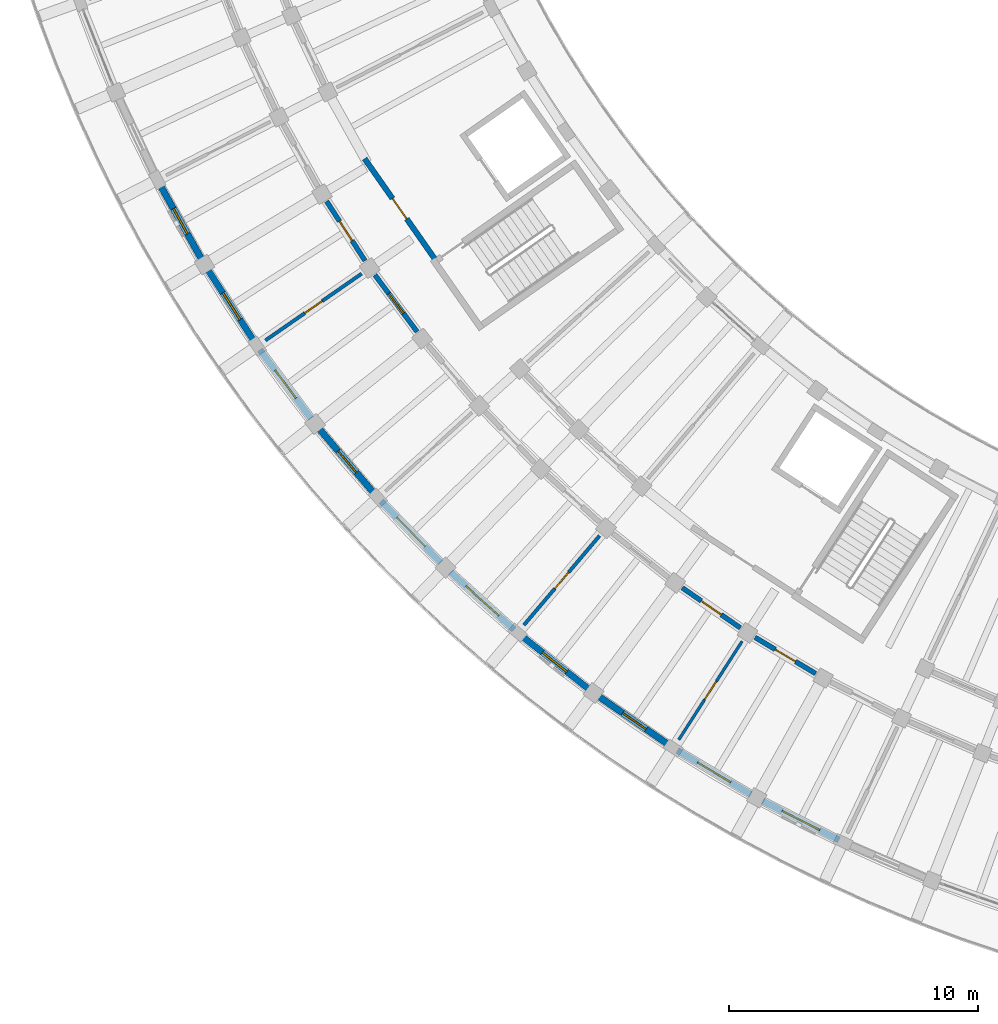
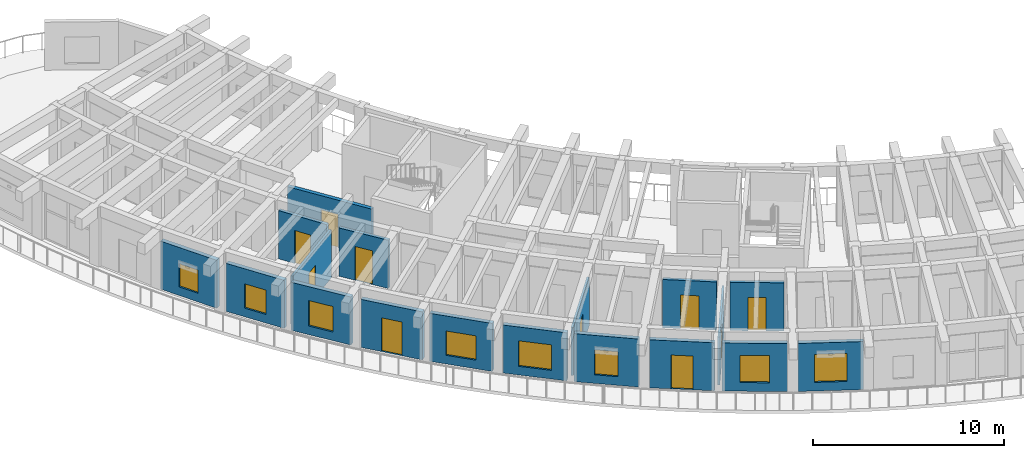
# One storey, part 80 of 128: 18 walls, 10 doors, 8 windows, 18 openings.
"""IFC4 building model written with IfcOpenShell, lengths in metres."""

from ifc_helpers import new_model, si_unit, direction, frame, frame_2d, origin, place, context, subcontext, project, spatial, rectangle, extrude, material, layer, layer_set, type_object, element, fill, save


model = new_model("IFC4")

# Units and contexts
model_context = context("Model", 3, precision=1e-05, world=origin(), true_north=direction((0.0, 1.0)))
body_context = subcontext(model_context, "Body", "Model", "MODEL_VIEW")
ifc_project = project(units=[si_unit("LENGTHUNIT", "METRE"), si_unit("AREAUNIT", "SQUARE_METRE"), si_unit("VOLUMEUNIT", "CUBIC_METRE"), si_unit("PLANEANGLEUNIT", "RADIAN"), si_unit("MASSUNIT", "GRAM", prefix="KILO")], contexts=[model_context])

# Site, building, storey
site_placement = place(None, origin())
site = spatial("IfcSite", under=ifc_project, at=site_placement, CompositionType="ELEMENT")
building_placement = place(site_placement, origin())
building = spatial("IfcBuilding", under=site, at=building_placement, Name="Tanwirah Colonnade Gardens", CompositionType="ELEMENT")
storey_placement = place(building_placement, frame((0.0, 0.0, 4.760009765625)))
storey = spatial("IfcBuildingStorey", under=building, at=storey_placement, Name="L01", CompositionType="ELEMENT", Elevation=4.760009765625)

# Wall, opening, window
ifc_material_1 = material(Name="Limestone architectural precast concrete C40/50", Category="masonry")
ifc_layer_1 = layer(ifc_material_1, 0.260009765625)
ifc_layer_set_1 = layer_set([ifc_layer_1], Name="Limestone architectural precast concrete C40/50")
wall_type_1 = type_object("IfcWallType", Name="EW-PC260", PredefinedType="SOLIDWALL", material=ifc_layer_set_1)
wall_1_placement = place(storey_placement, frame((12.149169921875, 37.072021484375, 0.0), z_axis=(0.0, 0.0, 1.0), x_axis=(0.486692090279, -0.873573585486, 0.0)))
wall_1 = element("IfcWall", 1, at=wall_1_placement, inside=storey, type_object=wall_type_1, Name="Block C L01 OUT Precast Facade Wall 3", PredefinedType="SOLIDWALL", context=body_context, shape_type="SweptSolid", body=[
    extrude(rectangle(XDim=3.436767578125, YDim=0.260009765625, at=frame_2d((1.71826171875, 0.0))), origin(), (0.0, 0.0, 1.0), 3.074951171875),
])
opening_1_placement = place(wall_1_placement, frame((1.138427734375, 0.0, 0.550048828125)))
opening_1 = element("IfcOpeningElement", 2, at=opening_1_placement, cuts=wall_1, Name="Opening WIN-U01", PredefinedType="OPENING", context=body_context, shape_type="SweptSolid", body=[
    extrude(rectangle(XDim=1.159912109375, YDim=1.485107421875, at=frame_2d((0.580078125, 0.74267578125))), frame((0.0, 0.139892578125, 0.0), z_axis=(0.0, -1.0, 0.0), x_axis=(1.0, 0.0, 0.0)), (0.0, 0.0, 1.0), 0.280029296875),
])
ifc_material_2 = material(Name="Thermally broken bronze aluminium and solar low-E double glazing", Category="aluminium")
window_type_1 = type_object("IfcWindowType", Name="WIN-U01", PartitioningType="DOUBLE_PANEL_VERTICAL", PredefinedType="WINDOW", material=ifc_material_2)
window_1_placement = place(opening_1_placement, origin())
window_1 = element("IfcWindow", 3, at=window_1_placement, inside=storey, type_object=window_type_1, Name="Facade window C-L01-OUT-03", OverallHeight=1.485107421875, OverallWidth=1.159912109375, PartitioningType="SINGLE_PANEL", PredefinedType="WINDOW", context=body_context, shape_type="SweptSolid", body=[
    extrude(rectangle(XDim=1.159912109375, YDim=1.485107421875, at=frame_2d((0.580078125, 0.74267578125))), frame((0.0, 0.030029296875, 0.0), z_axis=(0.0, -1.0, 0.0), x_axis=(1.0, 0.0, 0.0)), (0.0, 0.0, 1.0), 0.06005859375),
])
fill(opening_1, window_1)

wall_2_placement = place(storey_placement, frame((14.10498046875, 33.5986328125, 0.0), z_axis=(0.0, 0.0, 1.0), x_axis=(0.54279171039, -0.839867346152, 0.0)))
wall_2 = element("IfcWall", 4, at=wall_2_placement, inside=storey, type_object=wall_type_1, Name="Block C L01 OUT Precast Facade Wall 4", PredefinedType="SOLIDWALL", context=body_context, shape_type="SweptSolid", body=[
    extrude(rectangle(XDim=3.436767578125, YDim=0.260009765625, at=frame_2d((1.71826171875, 0.0))), origin(), (0.0, 0.0, 1.0), 3.074951171875),
])
opening_2_placement = place(wall_2_placement, frame((1.078369140625, 0.0, 0.550048828125)))
opening_2 = element("IfcOpeningElement", 5, at=opening_2_placement, cuts=wall_2, Name="Opening WIN-U04", PredefinedType="OPENING", context=body_context, shape_type="SweptSolid", body=[
    extrude(rectangle(XDim=1.280029296875, YDim=1.56005859375, at=frame_2d((0.64013671875, 0.780029296875))), frame((0.0, 0.139892578125, 0.0), z_axis=(0.0, -1.0, 0.0), x_axis=(1.0, 0.0, 0.0)), (0.0, 0.0, 1.0), 0.280029296875),
])
window_type_2 = type_object("IfcWindowType", Name="WIN-U04", PartitioningType="DOUBLE_PANEL_VERTICAL", PredefinedType="WINDOW", material=ifc_material_2)
window_2_placement = place(opening_2_placement, origin())
window_2 = element("IfcWindow", 6, at=window_2_placement, inside=storey, type_object=window_type_2, Name="Facade window C-L01-OUT-04", OverallHeight=1.56005859375, OverallWidth=1.280029296875, PartitioningType="SINGLE_PANEL", PredefinedType="WINDOW", context=body_context, shape_type="SweptSolid", body=[
    extrude(rectangle(XDim=1.280029296875, YDim=1.56005859375, at=frame_2d((0.64013671875, 0.780029296875))), frame((0.0, 0.030029296875, 0.0), z_axis=(0.0, -1.0, 0.0), x_axis=(1.0, 0.0, 0.0)), (0.0, 0.0, 1.0), 0.06005859375),
])
fill(opening_2, window_2)

wall_3_placement = place(storey_placement, frame((16.181396484375, 30.408203125, 0.0), z_axis=(0.0, 0.0, 1.0), x_axis=(0.596562008048, -0.802566988203, 0.0)))
wall_3 = element("IfcWall", 7, at=wall_3_placement, inside=storey, type_object=wall_type_1, Name="Block C L01 OUT Precast Facade Wall 5", PredefinedType="SOLIDWALL", context=body_context, shape_type="SweptSolid", body=[
    extrude(rectangle(XDim=3.436767578125, YDim=0.260009765625, at=frame_2d((1.71826171875, 0.0))), origin(), (0.0, 0.0, 1.0), 3.074951171875),
])
opening_3_placement = place(wall_3_placement, frame((1.018310546875, 0.0, 0.550048828125)))
opening_3 = element("IfcOpeningElement", 8, at=opening_3_placement, cuts=wall_3, Name="Opening WIN-U07", PredefinedType="OPENING", context=body_context, shape_type="SweptSolid", body=[
    extrude(rectangle(XDim=1.39990234375, YDim=1.635009765625, at=frame_2d((0.699951171875, 0.8173828125))), frame((0.0, 0.139892578125, 0.0), z_axis=(0.0, -1.0, 0.0), x_axis=(1.0, 0.0, 0.0)), (0.0, 0.0, 1.0), 0.280029296875),
])
window_type_3 = type_object("IfcWindowType", Name="WIN-U07", PartitioningType="DOUBLE_PANEL_VERTICAL", PredefinedType="WINDOW", material=ifc_material_2)
window_3_placement = place(opening_3_placement, origin())
window_3 = element("IfcWindow", 9, at=window_3_placement, inside=storey, type_object=window_type_3, Name="Facade window C-L01-OUT-05", OverallHeight=1.635009765625, OverallWidth=1.39990234375, PartitioningType="SINGLE_PANEL", PredefinedType="WINDOW", context=body_context, shape_type="SweptSolid", body=[
    extrude(rectangle(XDim=1.39990234375, YDim=1.635009765625, at=frame_2d((0.699951171875, 0.8173828125))), frame((0.0, 0.030029296875, 0.0), z_axis=(0.0, -1.0, 0.0), x_axis=(1.0, 0.0, 0.0)), (0.0, 0.0, 1.0), 0.06005859375),
])
fill(opening_3, window_3)

# Wall, opening, door
wall_4_placement = place(storey_placement, frame((18.57373046875, 27.2197265625, 0.0), z_axis=(0.0, 0.0, 1.0), x_axis=(0.6477968765, -0.7618131049, 0.0)))
wall_4 = element("IfcWall", 10, at=wall_4_placement, inside=storey, type_object=wall_type_1, Name="Block C L01 OUT Precast Facade Wall 6", PredefinedType="SOLIDWALL", context=body_context, shape_type="SweptSolid", body=[
    extrude(rectangle(XDim=3.436767578125, YDim=0.260009765625, at=frame_2d((1.71826171875, 0.0))), origin(), (0.0, 0.0, 1.0), 3.074951171875),
])
opening_4_placement = place(wall_4_placement, frame((1.1484375, 0.0, 0.0)))
opening_4 = element("IfcOpeningElement", 11, at=opening_4_placement, cuts=wall_4, Name="Opening L01-ED129", PredefinedType="OPENING", context=body_context, shape_type="SweptSolid", body=[
    extrude(rectangle(XDim=1.139892578125, YDim=2.159912109375, at=frame_2d((0.56982421875, 1.080078125))), frame((0.0, 0.139892578125, 0.0), z_axis=(0.0, -1.0, 0.0), x_axis=(1.0, 0.0, 0.0)), (0.0, 0.0, 1.0), 0.280029296875),
])
ifc_material_3 = material(Name="Bronze aluminium glazed balcony door", Category="aluminium")
door_type_1 = type_object("IfcDoorType", Name="ED-BAL114", OperationType="NOTDEFINED", PredefinedType="DOOR", material=ifc_material_3)
door_1_placement = place(opening_4_placement, origin())
door_1 = element("IfcDoor", 12, at=door_1_placement, inside=storey, type_object=door_type_1, Name="Balcony glazed door L01-ED129", OperationType="SINGLE_SWING_RIGHT", OverallHeight=2.159912109375, OverallWidth=1.139892578125, PredefinedType="DOOR", context=body_context, shape_type="SweptSolid", body=[
    extrude(rectangle(XDim=1.139892578125, YDim=2.159912109375, at=frame_2d((0.56982421875, 1.080078125))), frame((0.0, 0.02490234375, 0.0), z_axis=(0.0, -1.0, 0.0), x_axis=(1.0, 0.0, 0.0)), (0.0, 0.0, 1.0), 0.050048828125),
])
fill(opening_4, door_1)

# Wall, opening, window
wall_5_placement = place(storey_placement, frame((21.048828125, 24.327880859375, 0.0), z_axis=(0.0, 0.0, 1.0), x_axis=(0.696226819082, -0.717821855609, 0.0)))
wall_5 = element("IfcWall", 13, at=wall_5_placement, inside=storey, type_object=wall_type_1, Name="Block C L01 OUT Precast Facade Wall 7", PredefinedType="SOLIDWALL", context=body_context, shape_type="SweptSolid", body=[
    extrude(rectangle(XDim=3.436767578125, YDim=0.260009765625, at=frame_2d((1.71826171875, 0.0))), origin(), (0.0, 0.0, 1.0), 3.074951171875),
])
opening_5_placement = place(wall_5_placement, frame((0.8984375, 0.0, 0.550048828125)))
opening_5 = element("IfcOpeningElement", 14, at=opening_5_placement, cuts=wall_5, Name="Opening WIN-U13", PredefinedType="OPENING", context=body_context, shape_type="SweptSolid", body=[
    extrude(rectangle(XDim=1.639892578125, YDim=1.56005859375, at=frame_2d((0.81982421875, 0.780029296875))), frame((0.0, 0.139892578125, 0.0), z_axis=(0.0, -1.0, 0.0), x_axis=(1.0, 0.0, 0.0)), (0.0, 0.0, 1.0), 0.280029296875),
])
window_type_4 = type_object("IfcWindowType", Name="WIN-U13", PartitioningType="DOUBLE_PANEL_VERTICAL", PredefinedType="WINDOW", material=ifc_material_2)
window_4_placement = place(opening_5_placement, origin())
window_4 = element("IfcWindow", 15, at=window_4_placement, inside=storey, type_object=window_type_4, Name="Facade window C-L01-OUT-07", OverallHeight=1.56005859375, OverallWidth=1.639892578125, PartitioningType="SINGLE_PANEL", PredefinedType="WINDOW", context=body_context, shape_type="SweptSolid", body=[
    extrude(rectangle(XDim=1.639892578125, YDim=1.56005859375, at=frame_2d((0.81982421875, 0.780029296875))), frame((0.0, 0.030029296875, 0.0), z_axis=(0.0, -1.0, 0.0), x_axis=(1.0, 0.0, 0.0)), (0.0, 0.0, 1.0), 0.06005859375),
])
fill(opening_5, window_4)

wall_6_placement = place(storey_placement, frame((23.837158203125, 21.478759765625, 0.0), z_axis=(0.0, 0.0, 1.0), x_axis=(0.741699000924, -0.670732876806, 0.0)))
wall_6 = element("IfcWall", 16, at=wall_6_placement, inside=storey, type_object=wall_type_1, Name="Block C L01 OUT Precast Facade Wall 8", PredefinedType="SOLIDWALL", context=body_context, shape_type="SweptSolid", body=[
    extrude(rectangle(XDim=3.436767578125, YDim=0.260009765625, at=frame_2d((1.71826171875, 0.0))), origin(), (0.0, 0.0, 1.0), 3.074951171875),
])
opening_6_placement = place(wall_6_placement, frame((0.83837890625, 0.0, 0.550048828125)))
opening_6 = element("IfcOpeningElement", 17, at=opening_6_placement, cuts=wall_6, Name="Opening WIN-U16", PredefinedType="OPENING", context=body_context, shape_type="SweptSolid", body=[
    extrude(rectangle(XDim=1.760009765625, YDim=1.635009765625, at=frame_2d((0.8798828125, 0.8173828125))), frame((0.0, 0.139892578125, 0.0), z_axis=(0.0, -1.0, 0.0), x_axis=(1.0, 0.0, 0.0)), (0.0, 0.0, 1.0), 0.280029296875),
])
window_type_5 = type_object("IfcWindowType", Name="WIN-U16", PartitioningType="DOUBLE_PANEL_VERTICAL", PredefinedType="WINDOW", material=ifc_material_2)
window_5_placement = place(opening_6_placement, origin())
window_5 = element("IfcWindow", 18, at=window_5_placement, inside=storey, type_object=window_type_5, Name="Facade window C-L01-OUT-08", OverallHeight=1.635009765625, OverallWidth=1.760009765625, PartitioningType="SINGLE_PANEL", PredefinedType="WINDOW", context=body_context, shape_type="SweptSolid", body=[
    extrude(rectangle(XDim=1.760009765625, YDim=1.635009765625, at=frame_2d((0.8798828125, 0.8173828125))), frame((0.0, 0.030029296875, 0.0), z_axis=(0.0, -1.0, 0.0), x_axis=(1.0, 0.0, 0.0)), (0.0, 0.0, 1.0), 0.06005859375),
])
fill(opening_6, window_5)

wall_7_placement = place(storey_placement, frame((26.66845703125, 18.9345703125, 0.0), z_axis=(0.0, 0.0, 1.0), x_axis=(0.783970914649, -0.620797555556, 0.0)))
wall_7 = element("IfcWall", 19, at=wall_7_placement, inside=storey, type_object=wall_type_1, Name="Block C L01 OUT Precast Facade Wall 9", PredefinedType="SOLIDWALL", context=body_context, shape_type="SweptSolid", body=[
    extrude(rectangle(XDim=3.436767578125, YDim=0.260009765625, at=frame_2d((1.71826171875, 0.0))), origin(), (0.0, 0.0, 1.0), 3.074951171875),
])
opening_7_placement = place(wall_7_placement, frame((1.093505859375, 0.0, 0.550048828125)))
opening_7 = element("IfcOpeningElement", 20, at=opening_7_placement, cuts=wall_7, Name="Opening WIN-T03", PredefinedType="OPENING", context=body_context, shape_type="SweptSolid", body=[
    extrude(rectangle(XDim=1.25, YDim=1.60009765625, at=frame_2d((0.625, 0.800048828125))), frame((0.0, 0.139892578125, 0.0), z_axis=(0.0, -1.0, 0.0), x_axis=(1.0, 0.0, 0.0)), (0.0, 0.0, 1.0), 0.280029296875),
])
window_type_6 = type_object("IfcWindowType", Name="WIN-T03", PartitioningType="SINGLE_PANEL", PredefinedType="WINDOW", material=ifc_material_2)
window_6_placement = place(opening_7_placement, origin())
window_6 = element("IfcWindow", 21, at=window_6_placement, inside=storey, type_object=window_type_6, Name="Facade window C-L01-OUT-09", OverallHeight=1.60009765625, OverallWidth=1.25, PartitioningType="SINGLE_PANEL", PredefinedType="WINDOW", context=body_context, shape_type="SweptSolid", body=[
    extrude(rectangle(XDim=1.25, YDim=1.60009765625, at=frame_2d((0.625, 0.800048828125))), frame((0.0, 0.030029296875, 0.0), z_axis=(0.0, -1.0, 0.0), x_axis=(1.0, 0.0, 0.0)), (0.0, 0.0, 1.0), 0.06005859375),
])
fill(opening_7, window_6)

# Wall, opening, door
wall_8_placement = place(storey_placement, frame((29.8046875, 16.47412109375, 0.0), z_axis=(0.0, 0.0, 1.0), x_axis=(0.822879502564, -0.568215913416, 0.0)))
wall_8 = element("IfcWall", 22, at=wall_8_placement, inside=storey, type_object=wall_type_1, Name="Block C L01 OUT Precast Facade Wall 10", PredefinedType="SOLIDWALL", context=body_context, shape_type="SweptSolid", body=[
    extrude(rectangle(XDim=3.436767578125, YDim=0.260009765625, at=frame_2d((1.71826171875, 0.0))), origin(), (0.0, 0.0, 1.0), 3.074951171875),
])
opening_8_placement = place(wall_8_placement, frame((1.1484375, 0.0, 0.0)))
opening_8 = element("IfcOpeningElement", 23, at=opening_8_placement, cuts=wall_8, Name="Opening L01-ED130", PredefinedType="OPENING", context=body_context, shape_type="SweptSolid", body=[
    extrude(rectangle(XDim=1.139892578125, YDim=2.159912109375, at=frame_2d((0.56982421875, 1.080078125))), frame((0.0, 0.139892578125, 0.0), z_axis=(0.0, -1.0, 0.0), x_axis=(1.0, 0.0, 0.0)), (0.0, 0.0, 1.0), 0.280029296875),
])
door_2_placement = place(opening_8_placement, origin())
door_2 = element("IfcDoor", 24, at=door_2_placement, inside=storey, type_object=door_type_1, Name="Balcony glazed door L01-ED130", OperationType="SINGLE_SWING_RIGHT", OverallHeight=2.159912109375, OverallWidth=1.139892578125, PredefinedType="DOOR", context=body_context, shape_type="SweptSolid", body=[
    extrude(rectangle(XDim=1.139892578125, YDim=2.159912109375, at=frame_2d((0.56982421875, 1.080078125))), frame((0.0, 0.02490234375, 0.0), z_axis=(0.0, -1.0, 0.0), x_axis=(1.0, 0.0, 0.0)), (0.0, 0.0, 1.0), 0.050048828125),
])
fill(opening_8, door_2)

# Wall, opening, window
wall_9_placement = place(storey_placement, frame((32.94384765625, 14.3212890625, 0.0), z_axis=(0.0, 0.0, 1.0), x_axis=(0.858281691366, -0.51317885602, 0.0)))
wall_9 = element("IfcWall", 25, at=wall_9_placement, inside=storey, type_object=wall_type_1, Name="Block C L01 OUT Precast Facade Wall 11", PredefinedType="SOLIDWALL", context=body_context, shape_type="SweptSolid", body=[
    extrude(rectangle(XDim=3.436767578125, YDim=0.260009765625, at=frame_2d((1.71826171875, 0.0))), origin(), (0.0, 0.0, 1.0), 3.074951171875),
])
opening_9_placement = place(wall_9_placement, frame((0.943359375, 0.0, 0.550048828125)))
opening_9 = element("IfcOpeningElement", 26, at=opening_9_placement, cuts=wall_9, Name="Opening WIN-T09", PredefinedType="OPENING", context=body_context, shape_type="SweptSolid", body=[
    extrude(rectangle(XDim=1.550048828125, YDim=1.75, at=frame_2d((0.77490234375, 0.875))), frame((0.0, 0.139892578125, 0.0), z_axis=(0.0, -1.0, 0.0), x_axis=(1.0, 0.0, 0.0)), (0.0, 0.0, 1.0), 0.280029296875),
])
window_type_7 = type_object("IfcWindowType", Name="WIN-T09", PartitioningType="DOUBLE_PANEL_VERTICAL", PredefinedType="WINDOW", material=ifc_material_2)
window_7_placement = place(opening_9_placement, origin())
window_7 = element("IfcWindow", 27, at=window_7_placement, inside=storey, type_object=window_type_7, Name="Facade window C-L01-OUT-11", OverallHeight=1.75, OverallWidth=1.550048828125, PartitioningType="SINGLE_PANEL", PredefinedType="WINDOW", context=body_context, shape_type="SweptSolid", body=[
    extrude(rectangle(XDim=1.550048828125, YDim=1.75, at=frame_2d((0.77490234375, 0.875))), frame((0.0, 0.030029296875, 0.0), z_axis=(0.0, -1.0, 0.0), x_axis=(1.0, 0.0, 0.0)), (0.0, 0.0, 1.0), 0.06005859375),
])
fill(opening_9, window_7)

wall_10_placement = place(storey_placement, frame((36.374267578125, 12.291015625, 0.0), z_axis=(0.0, 0.0, 1.0), x_axis=(0.890022976809, -0.455915672852, 0.0)))
wall_10 = element("IfcWall", 28, at=wall_10_placement, inside=storey, type_object=wall_type_1, Name="Block C L01 OUT Precast Facade Wall 12", PredefinedType="SOLIDWALL", context=body_context, shape_type="SweptSolid", body=[
    extrude(rectangle(XDim=3.436767578125, YDim=0.260009765625, at=frame_2d((1.71826171875, 0.0))), origin(), (0.0, 0.0, 1.0), 3.074951171875),
])
opening_10_placement = place(wall_10_placement, frame((0.868408203125, 0.0, 0.550048828125)))
opening_10 = element("IfcOpeningElement", 29, at=opening_10_placement, cuts=wall_10, Name="Opening WIN-T12", PredefinedType="OPENING", context=body_context, shape_type="SweptSolid", body=[
    extrude(rectangle(XDim=1.699951171875, YDim=1.800048828125, at=frame_2d((0.85009765625, 0.89990234375))), frame((0.0, 0.139892578125, 0.0), z_axis=(0.0, -1.0, 0.0), x_axis=(1.0, 0.0, 0.0)), (0.0, 0.0, 1.0), 0.280029296875),
])
window_type_8 = type_object("IfcWindowType", Name="WIN-T12", PartitioningType="TRIPLE_PANEL_VERTICAL", PredefinedType="WINDOW", material=ifc_material_2)
window_8_placement = place(opening_10_placement, origin())
window_8 = element("IfcWindow", 30, at=window_8_placement, inside=storey, type_object=window_type_8, Name="Facade window C-L01-OUT-12", OverallHeight=1.800048828125, OverallWidth=1.699951171875, PartitioningType="SINGLE_PANEL", PredefinedType="WINDOW", context=body_context, shape_type="SweptSolid", body=[
    extrude(rectangle(XDim=1.699951171875, YDim=1.800048828125, at=frame_2d((0.85009765625, 0.89990234375))), frame((0.0, 0.030029296875, 0.0), z_axis=(0.0, -1.0, 0.0), x_axis=(1.0, 0.0, 0.0)), (0.0, 0.0, 1.0), 0.06005859375),
])
fill(opening_10, window_8)

# Wall, opening, door
ifc_material_4 = material(Name="Precast concrete C40/50", Category="concrete")
ifc_layer_2 = layer(ifc_material_4, 0.195068359375)
ifc_layer_set_2 = layer_set([ifc_layer_2], Name="Precast concrete C40/50")
wall_type_2 = type_object("IfcWallType", Name="IW-CORR195", PredefinedType="PARTITIONING", material=ifc_layer_set_2)
wall_11_placement = place(storey_placement, frame((18.860107421875, 36.3681640625, 0.0), z_axis=(0.0, 0.0, 1.0), x_axis=(0.542787304957, -0.83987019329, 0.0)))
wall_11 = element("IfcWall", 31, at=wall_11_placement, inside=storey, type_object=wall_type_2, Name="Block C L01 OUT Corridor Wall 4", PredefinedType="PARTITIONING", context=body_context, shape_type="SweptSolid", body=[
    extrude(rectangle(XDim=2.8369140625, YDim=0.195068359375, at=frame_2d((1.41845703125, 0.0))), origin(), (0.0, 0.0, 1.0), 3.090087890625),
])
opening_11_placement = place(wall_11_placement, frame((0.95361328125, 0.0, 0.0)))
opening_11 = element("IfcOpeningElement", 32, at=opening_11_placement, cuts=wall_11, Name="Opening L01-AD1325", PredefinedType="OPENING", context=body_context, shape_type="SweptSolid", body=[
    extrude(rectangle(XDim=0.929931640625, YDim=2.1201171875, at=frame_2d((0.46484375, 1.06005859375))), frame((0.0, 0.107421875, 0.0), z_axis=(0.0, -1.0, 0.0), x_axis=(1.0, 0.0, 0.0)), (0.0, 0.0, 1.0), 0.215087890625),
])
ifc_material_5 = material(Name="Solid oak fire-resisting apartment entrance door")
door_type_2 = type_object("IfcDoorType", Name="ID-FLT093", OperationType="NOTDEFINED", PredefinedType="DOOR", material=ifc_material_5)
door_3_placement = place(opening_11_placement, origin())
door_3 = element("IfcDoor", 33, at=door_3_placement, inside=storey, type_object=door_type_2, Name="Apartment corridor door L01-AD1325", OperationType="SINGLE_SWING_RIGHT", OverallHeight=2.1201171875, OverallWidth=0.929931640625, PredefinedType="DOOR", context=body_context, shape_type="SweptSolid", body=[
    extrude(rectangle(XDim=0.929931640625, YDim=2.1201171875, at=frame_2d((0.46484375, 1.06005859375))), frame((0.0, 0.02490234375, 0.0), z_axis=(0.0, -1.0, 0.0), x_axis=(1.0, 0.0, 0.0)), (0.0, 0.0, 1.0), 0.050048828125),
])
fill(opening_11, door_3)

wall_12_placement = place(storey_placement, frame((20.798828125, 33.410888671875, 0.0), z_axis=(0.0, 0.0, 1.0), x_axis=(0.596552136601, -0.802574325727, 0.0)))
wall_12 = element("IfcWall", 34, at=wall_12_placement, inside=storey, type_object=wall_type_2, Name="Block C L01 OUT Corridor Wall 5", PredefinedType="PARTITIONING", context=body_context, shape_type="SweptSolid", body=[
    extrude(rectangle(XDim=2.8369140625, YDim=0.195068359375, at=frame_2d((1.41845703125, 0.0))), origin(), (0.0, 0.0, 1.0), 3.090087890625),
])
opening_12_placement = place(wall_12_placement, frame((0.923583984375, 0.0, 0.0)))
opening_12 = element("IfcOpeningElement", 35, at=opening_12_placement, cuts=wall_12, Name="Opening L01-AD1327", PredefinedType="OPENING", context=body_context, shape_type="SweptSolid", body=[
    extrude(rectangle(XDim=0.989990234375, YDim=2.159912109375, at=frame_2d((0.4951171875, 1.080078125))), frame((0.0, 0.107421875, 0.0), z_axis=(0.0, -1.0, 0.0), x_axis=(1.0, 0.0, 0.0)), (0.0, 0.0, 1.0), 0.215087890625),
])
door_type_3 = type_object("IfcDoorType", Name="ID-FLT099", OperationType="NOTDEFINED", PredefinedType="DOOR", material=ifc_material_5)
door_4_placement = place(opening_12_placement, origin())
door_4 = element("IfcDoor", 36, at=door_4_placement, inside=storey, type_object=door_type_3, Name="Apartment corridor door L01-AD1327", OperationType="SINGLE_SWING_LEFT", OverallHeight=2.159912109375, OverallWidth=0.989990234375, PredefinedType="DOOR", context=body_context, shape_type="SweptSolid", body=[
    extrude(rectangle(XDim=0.989990234375, YDim=2.159912109375, at=frame_2d((0.4951171875, 1.080078125))), frame((0.0, 0.02490234375, 0.0), z_axis=(0.0, -1.0, 0.0), x_axis=(1.0, 0.0, 0.0)), (0.0, 0.0, 1.0), 0.050048828125),
])
fill(opening_12, door_4)

wall_13_placement = place(storey_placement, frame((33.137939453125, 20.852783203125, 0.0), z_axis=(0.0, 0.0, 1.0), x_axis=(0.822870075235, -0.568229565653, 0.0)))
wall_13 = element("IfcWall", 37, at=wall_13_placement, inside=storey, type_object=wall_type_2, Name="Block C L01 OUT Corridor Wall 10", PredefinedType="PARTITIONING", context=body_context, shape_type="SweptSolid", body=[
    extrude(rectangle(XDim=2.8369140625, YDim=0.195068359375, at=frame_2d((1.41845703125, 0.0))), origin(), (0.0, 0.0, 1.0), 3.090087890625),
])
opening_13_placement = place(wall_13_placement, frame((0.93359375, 0.0, 0.0)))
opening_13 = element("IfcOpeningElement", 38, at=opening_13_placement, cuts=wall_13, Name="Opening L01-AD1338", PredefinedType="OPENING", context=body_context, shape_type="SweptSolid", body=[
    extrude(rectangle(XDim=0.969970703125, YDim=2.14990234375, at=frame_2d((0.48486328125, 1.074951171875))), frame((0.0, 0.107421875, 0.0), z_axis=(0.0, -1.0, 0.0), x_axis=(1.0, 0.0, 0.0)), (0.0, 0.0, 1.0), 0.215087890625),
])
door_type_4 = type_object("IfcDoorType", Name="ID-FLT097", OperationType="NOTDEFINED", PredefinedType="DOOR", material=ifc_material_5)
door_5_placement = place(opening_13_placement, origin())
door_5 = element("IfcDoor", 39, at=door_5_placement, inside=storey, type_object=door_type_4, Name="Apartment corridor door L01-AD1338", OperationType="SINGLE_SWING_RIGHT", OverallHeight=2.14990234375, OverallWidth=0.969970703125, PredefinedType="DOOR", context=body_context, shape_type="SweptSolid", body=[
    extrude(rectangle(XDim=0.969970703125, YDim=2.14990234375, at=frame_2d((0.48486328125, 1.074951171875))), frame((0.0, 0.02490234375, 0.0), z_axis=(0.0, -1.0, 0.0), x_axis=(1.0, 0.0, 0.0)), (0.0, 0.0, 1.0), 0.050048828125),
])
fill(opening_13, door_5)

wall_14_placement = place(storey_placement, frame((36.060791015625, 18.8623046875, 0.0), z_axis=(0.0, 0.0, 1.0), x_axis=(0.858281647443, -0.51317892948, 0.0)))
wall_14 = element("IfcWall", 40, at=wall_14_placement, inside=storey, type_object=wall_type_2, Name="Block C L01 OUT Corridor Wall 11", PredefinedType="PARTITIONING", context=body_context, shape_type="SweptSolid", body=[
    extrude(rectangle(XDim=2.8369140625, YDim=0.195068359375, at=frame_2d((1.41845703125, 0.0))), origin(), (0.0, 0.0, 1.0), 3.090087890625),
])
opening_14_placement = place(wall_14_placement, frame((0.943603515625, 0.0, 0.0)))
opening_14 = element("IfcOpeningElement", 41, at=opening_14_placement, cuts=wall_14, Name="Opening L01-AD1340", PredefinedType="OPENING", context=body_context, shape_type="SweptSolid", body=[
    extrude(rectangle(XDim=0.949951171875, YDim=2.1298828125, at=frame_2d((0.47509765625, 1.06494140625))), frame((0.0, 0.107421875, 0.0), z_axis=(0.0, -1.0, 0.0), x_axis=(1.0, 0.0, 0.0)), (0.0, 0.0, 1.0), 0.215087890625),
])
door_type_5 = type_object("IfcDoorType", Name="ID-FLT095", OperationType="NOTDEFINED", PredefinedType="DOOR", material=ifc_material_5)
door_6_placement = place(opening_14_placement, origin())
door_6 = element("IfcDoor", 42, at=door_6_placement, inside=storey, type_object=door_type_5, Name="Apartment corridor door L01-AD1340", OperationType="SINGLE_SWING_LEFT", OverallHeight=2.1298828125, OverallWidth=0.949951171875, PredefinedType="DOOR", context=body_context, shape_type="SweptSolid", body=[
    extrude(rectangle(XDim=0.949951171875, YDim=2.1298828125, at=frame_2d((0.47509765625, 1.06494140625))), frame((0.0, 0.02490234375, 0.0), z_axis=(0.0, -1.0, 0.0), x_axis=(1.0, 0.0, 0.0)), (0.0, 0.0, 1.0), 0.050048828125),
])
fill(opening_14, door_6)

ifc_material_6 = material(Name="Autoclaved aerated masonry blockwork", Category="masonry")
ifc_layer_3 = layer(ifc_material_6, 0.219970703125)
ifc_layer_set_3 = layer_set([ifc_layer_3], Name="Autoclaved aerated masonry blockwork")
wall_type_3 = type_object("IfcWallType", Name="IW-FFL220", PredefinedType="PARTITIONING", material=ifc_layer_set_3)
wall_15_placement = place(storey_placement, frame((23.19482421875, 34.06787109375, 0.0), z_axis=(0.0, 0.0, 1.0), x_axis=(-0.573572687386, 0.819154669329, 0.0)))
wall_15 = element("IfcWall", 43, at=wall_15_placement, inside=storey, type_object=wall_type_3, Name="CORE-C1 L01 Enclosed Lobby Fire Wall", PredefinedType="PARTITIONING", context=body_context, shape_type="SweptSolid", body=[
    extrude(rectangle(XDim=4.900146484375, YDim=0.219970703125, at=frame_2d((2.4501953125, 0.0))), origin(), (0.0, 0.0, 1.0), 3.06005859375),
])
opening_15_placement = place(wall_15_placement, frame((1.949951171875, 0.0, 0.0)))
opening_15 = element("IfcOpeningElement", 44, at=opening_15_placement, cuts=wall_15, Name="Opening L01-LD135", PredefinedType="OPENING", context=body_context, shape_type="SweptSolid", body=[
    extrude(rectangle(XDim=1.0, YDim=2.14990234375, at=frame_2d((0.5, 1.074951171875))), frame((0.0, 0.119873046875, 0.0), z_axis=(0.0, -1.0, 0.0), x_axis=(1.0, 0.0, 0.0)), (0.0, 0.0, 1.0), 0.239990234375),
])
ifc_material_7 = material(Name="Acoustic fire-resisting lobby door")
door_type_6 = type_object("IfcDoorType", Name="ID-FFL100", OperationType="NOTDEFINED", PredefinedType="DOOR", material=ifc_material_7)
door_7_placement = place(opening_15_placement, origin())
door_7 = element("IfcDoor", 45, at=door_7_placement, inside=storey, type_object=door_type_6, Name="CORE-C1 L01 Lobby Fire Door L01-LD135", OperationType="SINGLE_SWING_RIGHT", OverallHeight=2.14990234375, OverallWidth=1.0, PredefinedType="DOOR", context=body_context, shape_type="SweptSolid", body=[
    extrude(rectangle(XDim=1.0, YDim=2.14990234375, at=frame_2d((0.5, 1.074951171875))), frame((0.0, 0.02490234375, 0.0), z_axis=(0.0, -1.0, 0.0), x_axis=(1.0, 0.0, 0.0)), (0.0, 0.0, 1.0), 0.050048828125),
])
fill(opening_15, door_7)

ifc_material_8 = material(Name="Acoustic gypsum stud partition")
ifc_layer_4 = layer(ifc_material_8, 0.114990234375)
ifc_layer_set_4 = layer_set([ifc_layer_4], Name="Acoustic gypsum stud partition")
wall_type_4 = type_object("IfcWallType", Name="IW-INT115", PredefinedType="PARTITIONING", material=ifc_layer_set_4)
wall_16_placement = place(storey_placement, frame((35.5439453125, 18.705322265625, 0.0), z_axis=(0.0, 0.0, 1.0), x_axis=(-0.540959731567, -0.84104849374, 0.0)))
wall_16 = element("IfcWall", 46, at=wall_16_placement, inside=storey, type_object=wall_type_4, Name="Block C L01 Radial Partition 10", PredefinedType="PARTITIONING", context=body_context, shape_type="SweptSolid", body=[
    extrude(rectangle(XDim=4.699951171875, YDim=0.114990234375, at=frame_2d((2.35009765625, 0.0))), origin(), (0.0, 0.0, 1.0), 3.090087890625),
])
opening_16_placement = place(wall_16_placement, frame((1.9150390625, 0.0, 0.0)))
opening_16 = element("IfcOpeningElement", 47, at=opening_16_placement, cuts=wall_16, Name="Opening L01-RD1339", PredefinedType="OPENING", context=body_context, shape_type="SweptSolid", body=[
    extrude(rectangle(XDim=0.8701171875, YDim=2.080078125, at=frame_2d((0.43505859375, 1.0400390625))), frame((0.0, 0.0673828125, 0.0), z_axis=(0.0, -1.0, 0.0), x_axis=(1.0, 0.0, 0.0)), (0.0, 0.0, 1.0), 0.135009765625),
])
ifc_material_9 = material(Name="Painted hardwood study door", Category="wood")
door_type_7 = type_object("IfcDoorType", Name="ID-RM087", OperationType="NOTDEFINED", PredefinedType="DOOR", material=ifc_material_9)
door_8_placement = place(opening_16_placement, origin())
door_8 = element("IfcDoor", 48, at=door_8_placement, inside=storey, type_object=door_type_7, Name="Internal apartment door L01-RD1339", OperationType="SINGLE_SWING_RIGHT", OverallHeight=2.080078125, OverallWidth=0.8701171875, PredefinedType="DOOR", context=body_context, shape_type="SweptSolid", body=[
    extrude(rectangle(XDim=0.8701171875, YDim=2.080078125, at=frame_2d((0.43505859375, 1.0400390625))), frame((0.0, 0.02490234375, 0.0), z_axis=(0.0, -1.0, 0.0), x_axis=(1.0, 0.0, 0.0)), (0.0, 0.0, 1.0), 0.050048828125),
])
fill(opening_16, door_8)

ifc_material_10 = material(Name="Water-resistant acoustic plumbing partition")
ifc_layer_5 = layer(ifc_material_10, 0.139892578125)
ifc_layer_set_5 = layer_set([ifc_layer_5], Name="Water-resistant acoustic plumbing partition")
wall_type_5 = type_object("IfcWallType", Name="IW-WET140", PredefinedType="PLUMBINGWALL", material=ifc_layer_set_5)
wall_17_placement = place(storey_placement, frame((20.26123046875, 33.463623046875, 0.0), z_axis=(0.0, 0.0, 1.0), x_axis=(-0.821638260647, -0.570009270663, 0.0)))
wall_17 = element("IfcWall", 49, at=wall_17_placement, inside=storey, type_object=wall_type_5, Name="Block C L01 Radial Partition 4", PredefinedType="PLUMBINGWALL", context=body_context, shape_type="SweptSolid", body=[
    extrude(rectangle(XDim=4.699951171875, YDim=0.139892578125, at=frame_2d((2.35009765625, 0.0))), origin(), (0.0, 0.0, 1.0), 3.090087890625),
])
opening_17_placement = place(wall_17_placement, frame((1.925048828125, 0.0, 0.0)))
opening_17 = element("IfcOpeningElement", 50, at=opening_17_placement, cuts=wall_17, Name="Opening L01-RD1326", PredefinedType="OPENING", context=body_context, shape_type="SweptSolid", body=[
    extrude(rectangle(XDim=0.85009765625, YDim=2.050048828125, at=frame_2d((0.425048828125, 1.02490234375))), frame((0.0, 0.079833984375, 0.0), z_axis=(0.0, -1.0, 0.0), x_axis=(1.0, 0.0, 0.0)), (0.0, 0.0, 1.0), 0.159912109375),
])
ifc_material_11 = material(Name="Moisture-resistant en-suite door")
door_type_8 = type_object("IfcDoorType", Name="ID-WET085", OperationType="NOTDEFINED", PredefinedType="DOOR", material=ifc_material_11)
door_9_placement = place(opening_17_placement, origin())
door_9 = element("IfcDoor", 51, at=door_9_placement, inside=storey, type_object=door_type_8, Name="Internal apartment door L01-RD1326", OperationType="SINGLE_SWING_RIGHT", OverallHeight=2.050048828125, OverallWidth=0.85009765625, PredefinedType="DOOR", context=body_context, shape_type="SweptSolid", body=[
    extrude(rectangle(XDim=0.85009765625, YDim=2.050048828125, at=frame_2d((0.425048828125, 1.02490234375))), frame((0.0, 0.02490234375, 0.0), z_axis=(0.0, -1.0, 0.0), x_axis=(1.0, 0.0, 0.0)), (0.0, 0.0, 1.0), 0.050048828125),
])
fill(opening_17, door_9)

wall_18_placement = place(storey_placement, frame((29.818603515625, 22.94189453125, 0.0), z_axis=(0.0, 0.0, 1.0), x_axis=(-0.646137818229, -0.76322075434, 0.0)))
wall_18 = element("IfcWall", 52, at=wall_18_placement, inside=storey, type_object=wall_type_5, Name="Block C L01 Radial Partition 8", PredefinedType="PLUMBINGWALL", context=body_context, shape_type="SweptSolid", body=[
    extrude(rectangle(XDim=4.699951171875, YDim=0.139892578125, at=frame_2d((2.35009765625, 0.0))), origin(), (0.0, 0.0, 1.0), 3.090087890625),
])
opening_18_placement = place(wall_18_placement, frame((1.925048828125, 0.0, 0.0)))
opening_18 = element("IfcOpeningElement", 53, at=opening_18_placement, cuts=wall_18, Name="Opening L01-RD1335", PredefinedType="OPENING", context=body_context, shape_type="SweptSolid", body=[
    extrude(rectangle(XDim=0.85009765625, YDim=2.050048828125, at=frame_2d((0.425048828125, 1.02490234375))), frame((0.0, 0.079833984375, 0.0), z_axis=(0.0, -1.0, 0.0), x_axis=(1.0, 0.0, 0.0)), (0.0, 0.0, 1.0), 0.159912109375),
])
door_10_placement = place(opening_18_placement, origin())
door_10 = element("IfcDoor", 54, at=door_10_placement, inside=storey, type_object=door_type_8, Name="Internal apartment door L01-RD1335", OperationType="SINGLE_SWING_RIGHT", OverallHeight=2.050048828125, OverallWidth=0.85009765625, PredefinedType="DOOR", context=body_context, shape_type="SweptSolid", body=[
    extrude(rectangle(XDim=0.85009765625, YDim=2.050048828125, at=frame_2d((0.425048828125, 1.02490234375))), frame((0.0, 0.02490234375, 0.0), z_axis=(0.0, -1.0, 0.0), x_axis=(1.0, 0.0, 0.0)), (0.0, 0.0, 1.0), 0.050048828125),
])
fill(opening_18, door_10)

save(model, "model.ifc")
